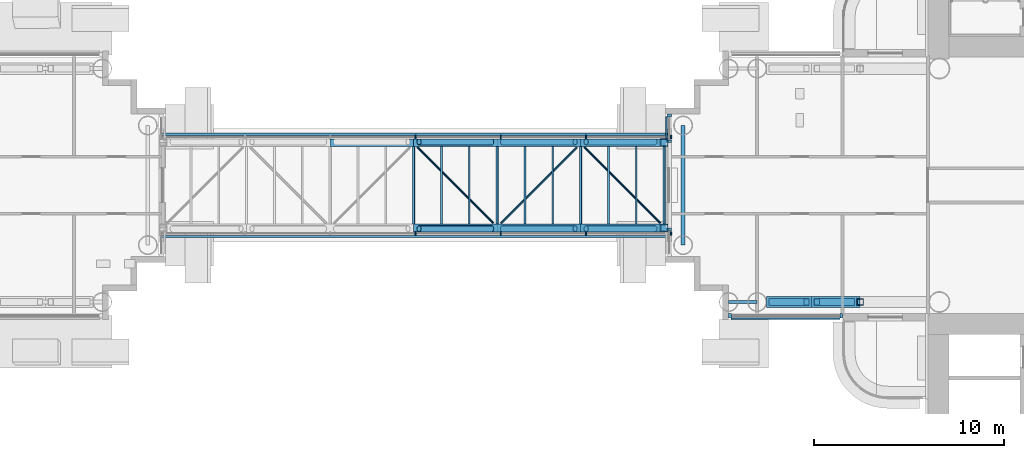
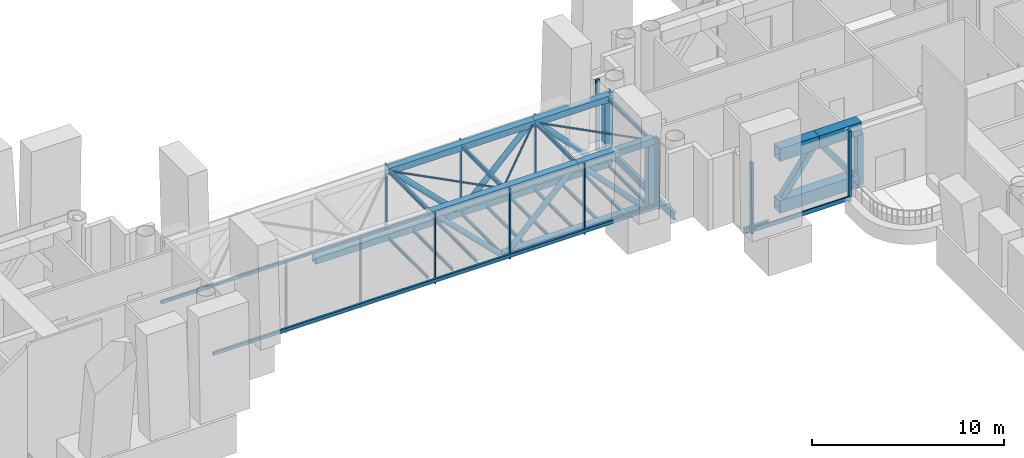
# One storey, part 7 of 27: 41 members, 16 beams, 5 elements without a shape of their own.
"""IFC4 building model written with IfcOpenShell, lengths in metres."""

from ifc_helpers import new_model, si_unit, direction, frame, origin, origin_2d, place, context, subcontext, project, spatial, rectangle, hollow_rectangle, hollow_circle, i_section, extrude, material, layer, layer_set, material_profile, profile_set, type_object, element, aggregate, save


model = new_model("IFC4")

# Units and contexts
model_context = context("Model", 3, precision=1e-05, world=origin(), true_north=direction((0.0, 1.0)))
body_context = subcontext(model_context, "Body", "Model", "MODEL_VIEW")
ifc_project = project(units=[si_unit("LENGTHUNIT", "METRE"), si_unit("AREAUNIT", "SQUARE_METRE"), si_unit("VOLUMEUNIT", "CUBIC_METRE"), si_unit("PLANEANGLEUNIT", "RADIAN"), si_unit("MASSUNIT", "GRAM", prefix="KILO")], contexts=[model_context])

# Site, building, storey
site_placement = place(None, origin())
site = spatial("IfcSite", under=ifc_project, at=site_placement, CompositionType="ELEMENT")
building_placement = place(site_placement, origin())
building = spatial("IfcBuilding", under=site, at=building_placement, Name="Ipe Terrace Towers", CompositionType="ELEMENT")
storey_placement = place(building_placement, frame((0.0, 0.0, 72.10009765625)))
storey = spatial("IfcBuildingStorey", under=building, at=storey_placement, Name="L19", CompositionType="ELEMENT", Elevation=72.10009765625)

# Curtain wall, members
ifc_material_1 = material(Name="Aluminium alloy 6063-T6", Category="aluminium")
ifc_layer_1 = layer(ifc_material_1, 0.300048828125)
ifc_layer_set_1 = layer_set([ifc_layer_1], Name="BRIDGE ENCLOSURE CURTAIN WALL")
curtain_wall_type_1 = type_object("IfcCurtainWallType", Name="BRIDGE ENCLOSURE CURTAIN WALL", PredefinedType="NOTDEFINED", material=ifc_layer_set_1)
curtain_wall_1_placement = place(storey_placement, origin())
curtain_wall_1 = element("IfcCurtainWall", 1, at=curtain_wall_1_placement, inside=storey, type_object=curtain_wall_type_1, Name="BR1-CW1 curtain wall", PredefinedType="NOTDEFINED")
ifc_material_2 = material(Name="Aluminium alloy 6063-T6", Category="aluminium")
ifc_material_profile_1 = material_profile(ifc_material_2, rectangle(XDim=0.179931640625, YDim=0.070068359375, at=origin_2d()), Name="BRIDGE ENCLOSURE MULLION 180 x 70")
ifc_profile_set_1 = profile_set([ifc_material_profile_1], Name="Aluminium alloy 6063-T6")
member_type_1 = type_object("IfcMemberType", Name="BRIDGE ENCLOSURE MULLION 180 x 70", PredefinedType="MULLION", material=ifc_profile_set_1)
member_1_placement = place(storey_placement, frame((15.715087890625, 2.544921875, -0.300048828125), z_axis=(0.0, 0.0, 1.0), x_axis=(0.0, 1.0, 0.0)))
member_1 = element("IfcMember", 2, at=member_1_placement, type_object=member_type_1, Name="BR1-CW1 mullion 1", PredefinedType="MULLION", context=body_context, shape_type="SweptSolid", body=[
    extrude(rectangle(XDim=0.179931640625, YDim=0.070068359375, at=origin_2d()), origin(), (0.0, 0.0, 1.0), 4.5),
])
member_2_placement = place(storey_placement, frame((11.2265625, 2.544921875, -0.300048828125), z_axis=(0.0, 0.0, 1.0), x_axis=(0.0, 1.0, 0.0)))
member_2 = element("IfcMember", 3, at=member_2_placement, type_object=member_type_1, Name="BR1-CW1 mullion 2", PredefinedType="MULLION", context=body_context, shape_type="SweptSolid", body=[
    extrude(rectangle(XDim=0.179931640625, YDim=0.070068359375, at=origin_2d()), origin(), (0.0, 0.0, 1.0), 4.5),
])
member_3_placement = place(storey_placement, frame((6.73828125, 2.544921875, -0.300048828125), z_axis=(0.0, 0.0, 1.0), x_axis=(0.0, 1.0, 0.0)))
member_3 = element("IfcMember", 4, at=member_3_placement, type_object=member_type_1, Name="BR1-CW1 mullion 3", PredefinedType="MULLION", context=body_context, shape_type="SweptSolid", body=[
    extrude(rectangle(XDim=0.179931640625, YDim=0.070068359375, at=origin_2d()), origin(), (0.0, 0.0, 1.0), 4.5),
])
member_4_placement = place(storey_placement, frame((2.25, 2.544921875, -0.300048828125), z_axis=(0.0, 0.0, 1.0), x_axis=(0.0, 1.0, 0.0)))
member_4 = element("IfcMember", 5, at=member_4_placement, type_object=member_type_1, Name="BR1-CW1 mullion 4", PredefinedType="MULLION", context=body_context, shape_type="SweptSolid", body=[
    extrude(rectangle(XDim=0.179931640625, YDim=0.070068359375, at=origin_2d()), origin(), (0.0, 0.0, 1.0), 4.5),
])

curtain_wall_2_placement = place(storey_placement, origin())
curtain_wall_2 = element("IfcCurtainWall", 6, at=curtain_wall_2_placement, inside=storey, type_object=curtain_wall_type_1, Name="BR1-CW2 curtain wall", PredefinedType="NOTDEFINED")
member_5_placement = place(storey_placement, frame((2.25, -2.544921875, -0.300048828125), z_axis=(0.0, 0.0, 1.0), x_axis=(0.0, -1.0, 0.0)))
member_5 = element("IfcMember", 7, at=member_5_placement, type_object=member_type_1, Name="BR1-CW2 mullion 4", PredefinedType="MULLION", context=body_context, shape_type="SweptSolid", body=[
    extrude(rectangle(XDim=0.179931640625, YDim=0.070068359375, at=origin_2d()), origin(), (0.0, 0.0, 1.0), 4.5),
])
member_6_placement = place(storey_placement, frame((6.73828125, -2.544921875, -0.300048828125), z_axis=(0.0, 0.0, 1.0), x_axis=(0.0, -1.0, 0.0)))
member_6 = element("IfcMember", 8, at=member_6_placement, type_object=member_type_1, Name="BR1-CW2 mullion 5", PredefinedType="MULLION", context=body_context, shape_type="SweptSolid", body=[
    extrude(rectangle(XDim=0.179931640625, YDim=0.070068359375, at=origin_2d()), origin(), (0.0, 0.0, 1.0), 4.5),
])
member_7_placement = place(storey_placement, frame((11.2265625, -2.544921875, -0.300048828125), z_axis=(0.0, 0.0, 1.0), x_axis=(0.0, -1.0, 0.0)))
member_7 = element("IfcMember", 9, at=member_7_placement, type_object=member_type_1, Name="BR1-CW2 mullion 6", PredefinedType="MULLION", context=body_context, shape_type="SweptSolid", body=[
    extrude(rectangle(XDim=0.179931640625, YDim=0.070068359375, at=origin_2d()), origin(), (0.0, 0.0, 1.0), 4.5),
])
member_8_placement = place(storey_placement, frame((15.715087890625, -2.544921875, -0.300048828125), z_axis=(0.0, 0.0, 1.0), x_axis=(0.0, -1.0, 0.0)))
member_8 = element("IfcMember", 10, at=member_8_placement, type_object=member_type_1, Name="BR1-CW2 mullion 7", PredefinedType="MULLION", context=body_context, shape_type="SweptSolid", body=[
    extrude(rectangle(XDim=0.179931640625, YDim=0.070068359375, at=origin_2d()), origin(), (0.0, 0.0, 1.0), 4.5),
])

# Member
ifc_material_3 = material(Name="Aluminium alloy 6063-T6", Category="aluminium")
ifc_material_profile_2 = material_profile(ifc_material_3, rectangle(XDim=0.1201171875, YDim=0.199951171875, at=origin_2d()), Name="BRIDGE ENCLOSURE TRANSOM 120 x 200")
ifc_profile_set_2 = profile_set([ifc_material_profile_2], Name="Aluminium alloy 6063-T6")
member_type_2 = type_object("IfcMemberType", Name="BRIDGE ENCLOSURE TRANSOM 120 x 200", PredefinedType="USERDEFINED", material=ifc_profile_set_2)
member_9_placement = place(storey_placement, frame((15.679931640625, 2.695068359375, 0.0), z_axis=(-1.0, 0.0, 0.0), x_axis=(0.0, 1.0, 0.0)))
member_9 = element("IfcMember", 11, at=member_9_placement, type_object=member_type_2, Name="BR1-CW1 transom", ObjectType="TRANSOM", PredefinedType="USERDEFINED", context=body_context, shape_type="SweptSolid", body=[
    extrude(rectangle(XDim=0.1201171875, YDim=0.199951171875, at=origin_2d()), origin(), (0.0, 0.0, 1.0), 26.85986328125),
])

aggregate(curtain_wall_1, [member_1, member_2, member_3, member_4, member_9])

member_10_placement = place(storey_placement, frame((-11.179931640625, -2.695068359375, 0.0), z_axis=(1.0, 0.0, 0.0), x_axis=(0.0, -1.0, 0.0)))
member_10 = element("IfcMember", 12, at=member_10_placement, type_object=member_type_2, Name="BR1-CW2 transom", ObjectType="TRANSOM", PredefinedType="USERDEFINED", context=body_context, shape_type="SweptSolid", body=[
    extrude(rectangle(XDim=0.1201171875, YDim=0.199951171875, at=origin_2d()), origin(), (0.0, 0.0, 1.0), 26.85986328125),
])

aggregate(curtain_wall_2, [member_5, member_6, member_7, member_8, member_10])

# Members
ifc_material_4 = material(Name="Steel S355", Category="steel")
ifc_material_profile_3 = material_profile(ifc_material_4, hollow_rectangle(XDim=0.39990234375, YDim=0.39990234375, WallThickness=0.02001953125, at=origin_2d()), Name="BRIDGE-CHORD BOX 400x400x20")
ifc_profile_set_3 = profile_set([ifc_material_profile_3], Name="Steel S355")
member_type_3 = type_object("IfcMemberType", Name="BRIDGE-CHORD BOX 400x400x20", PredefinedType="CHORD", material=ifc_profile_set_3)
member_11_placement = place(storey_placement, frame((6.550048828125, -2.25, -0.150146484375), z_axis=(1.0, 0.0, 0.0), x_axis=(0.0, 1.0, 0.0)))
element("IfcMember", 13, at=member_11_placement, inside=storey, type_object=member_type_3, Name="BR1-TSBC-003 bottom chord", PredefinedType="CHORD", context=body_context, shape_type="SweptSolid", body=[
    extrude(hollow_rectangle(XDim=0.39990234375, YDim=0.39990234375, WallThickness=0.02001953125, at=origin_2d()), origin(), (0.0, 0.0, 1.0), 9.0),
])
member_12_placement = place(storey_placement, frame((2.14990234375, -2.25, 4.0), z_axis=(1.0, 0.0, 0.0), x_axis=(0.0, 1.0, 0.0)))
element("IfcMember", 14, at=member_12_placement, inside=storey, type_object=member_type_3, Name="BR1-TSTC-006 top chord", PredefinedType="CHORD", context=body_context, shape_type="SweptSolid", body=[
    extrude(hollow_rectangle(XDim=0.39990234375, YDim=0.39990234375, WallThickness=0.02001953125, at=origin_2d()), origin(), (0.0, 0.0, 1.0), 8.800048828125),
])
member_13_placement = place(storey_placement, frame((10.949951171875, -2.25, 4.0), z_axis=(1.0, 0.0, 0.0), x_axis=(0.0, 1.0, 0.0)))
element("IfcMember", 15, at=member_13_placement, inside=storey, type_object=member_type_3, Name="BR1-TSTC-007 top chord", PredefinedType="CHORD", context=body_context, shape_type="SweptSolid", body=[
    extrude(hollow_rectangle(XDim=0.39990234375, YDim=0.39990234375, WallThickness=0.02001953125, at=origin_2d()), origin(), (0.0, 0.0, 1.0), 4.60009765625),
])
member_14_placement = place(storey_placement, frame((-2.25, 2.25, -0.150146484375), z_axis=(1.0, 0.0, 0.0), x_axis=(0.0, 1.0, 0.0)))
element("IfcMember", 16, at=member_14_placement, inside=storey, type_object=member_type_3, Name="BR1-TNBC-017 bottom chord", PredefinedType="CHORD", context=body_context, shape_type="SweptSolid", body=[
    extrude(hollow_rectangle(XDim=0.39990234375, YDim=0.39990234375, WallThickness=0.02001953125, at=origin_2d()), origin(), (0.0, 0.0, 1.0), 8.800048828125),
])
member_15_placement = place(storey_placement, frame((6.550048828125, 2.25, -0.150146484375), z_axis=(1.0, 0.0, 0.0), x_axis=(0.0, 1.0, 0.0)))
element("IfcMember", 17, at=member_15_placement, inside=storey, type_object=member_type_3, Name="BR1-TNBC-018 bottom chord", PredefinedType="CHORD", context=body_context, shape_type="SweptSolid", body=[
    extrude(hollow_rectangle(XDim=0.39990234375, YDim=0.39990234375, WallThickness=0.02001953125, at=origin_2d()), origin(), (0.0, 0.0, 1.0), 9.0),
])
member_16_placement = place(storey_placement, frame((2.14990234375, 2.25, 4.0), z_axis=(1.0, 0.0, 0.0), x_axis=(0.0, 1.0, 0.0)))
element("IfcMember", 18, at=member_16_placement, inside=storey, type_object=member_type_3, Name="BR1-TNTC-021 top chord", PredefinedType="CHORD", context=body_context, shape_type="SweptSolid", body=[
    extrude(hollow_rectangle(XDim=0.39990234375, YDim=0.39990234375, WallThickness=0.02001953125, at=origin_2d()), origin(), (0.0, 0.0, 1.0), 8.800048828125),
])
member_17_placement = place(storey_placement, frame((10.949951171875, 2.25, 4.0), z_axis=(1.0, 0.0, 0.0), x_axis=(0.0, 1.0, 0.0)))
element("IfcMember", 19, at=member_17_placement, inside=storey, type_object=member_type_3, Name="BR1-TNTC-022 top chord", PredefinedType="CHORD", context=body_context, shape_type="SweptSolid", body=[
    extrude(hollow_rectangle(XDim=0.39990234375, YDim=0.39990234375, WallThickness=0.02001953125, at=origin_2d()), origin(), (0.0, 0.0, 1.0), 4.60009765625),
])

# Beams
ifc_material_5 = material(Name="Steel S355", Category="steel")
ifc_material_profile_4 = material_profile(ifc_material_5, i_section(OverallWidth=0.10009765625, OverallDepth=0.199951171875, WebThickness=0.005615234375, FlangeThickness=0.008056640625, at=origin_2d()), Name="H200x100")
ifc_profile_set_4 = profile_set([ifc_material_profile_4], Name="Steel S355")
beam_type_1 = type_object("IfcBeamType", Name="BRIDGE-DECK BEAM H200x100", PredefinedType="BEAM", material=ifc_profile_set_4)
for number, where, z_axis, x_axis, name in (
    (20, (2.14990234375, -2.050048828125, -0.22021484375), (0.0, 1.0, 0.0), (-1.0, 0.0, 0.0), "BR1-DB-040 deck beam"),
    (21, (3.616943359375, -2.050048828125, -0.22021484375), (0.0, 1.0, 0.0), (-1.0, 0.0, 0.0), "BR1-DB-041 deck beam"),
    (22, (5.0830078125, -2.050048828125, -0.22021484375), (0.0, 1.0, 0.0), (-1.0, 0.0, 0.0), "BR1-DB-042 deck beam"),
    (23, (6.550048828125, -2.050048828125, -0.22021484375), (0.0, 1.0, 0.0), (-1.0, 0.0, 0.0), "BR1-DB-043 deck beam"),
    (24, (8.01708984375, -2.050048828125, -0.22021484375), (0.0, 1.0, 0.0), (-1.0, 0.0, 0.0), "BR1-DB-044 deck beam"),
    (25, (9.48291015625, -2.050048828125, -0.22021484375), (0.0, 1.0, 0.0), (-1.0, 0.0, 0.0), "BR1-DB-045 deck beam"),
    (26, (10.949951171875, -2.050048828125, -0.22021484375), (0.0, 1.0, 0.0), (-1.0, 0.0, 0.0), "BR1-DB-046 deck beam"),
    (27, (12.4169921875, -2.050048828125, -0.22021484375), (0.0, 1.0, 0.0), (-1.0, 0.0, 0.0), "BR1-DB-047 deck beam"),
    (28, (13.883056640625, -2.050048828125, -0.22021484375), (0.0, 1.0, 0.0), (-1.0, 0.0, 0.0), "BR1-DB-048 deck beam"),
    (29, (15.35009765625, -2.050048828125, -0.22021484375), (0.0, 1.0, 0.0), (-1.0, 0.0, 0.0), "BR1-DB-049 deck beam"),
):
    element("IfcBeam", number, at=place(storey_placement, frame(where, z_axis=z_axis, x_axis=x_axis)), inside=storey, type_object=beam_type_1, Name=name, PredefinedType="BEAM", context=body_context, shape_type="SweptSolid", body=[
        extrude(i_section(OverallWidth=0.10009765625, OverallDepth=0.199951171875, WebThickness=0.005615234375, FlangeThickness=0.008056640625, at=origin_2d()), origin(), (0.0, 0.0, 1.0), 4.10009765625),
    ])

# Members
ifc_material_6 = material(Name="Steel S355", Category="steel")
ifc_material_profile_5 = material_profile(ifc_material_6, hollow_circle(Radius=0.162109375, WallThickness=0.013916015625, at=origin_2d()), Name="BRIDGE-DIAGONAL CHS 324x14")
ifc_profile_set_5 = profile_set([ifc_material_profile_5], Name="Steel S355")
member_type_4 = type_object("IfcMemberType", Name="BRIDGE-DIAGONAL CHS 324x14", PredefinedType="BRACE", material=ifc_profile_set_5)
for number, where, z_axis, x_axis, name in (
    (30, (2.43994140625, -2.2880859375, 3.81982421875), (0.709891480429, 0.0, -0.70431107191), (0.0, 1.0, 0.0), "BR1-TSD-013 diagonal"),
    (31, (6.840087890625, -2.2880859375, 0.02978515625), (0.709868973777, 0.0, 0.704333756162), (0.0, 1.0, 0.0), "BR1-TSD-014 diagonal"),
):
    element("IfcMember", number, at=place(storey_placement, frame(where, z_axis=z_axis, x_axis=x_axis)), inside=storey, type_object=member_type_4, Name=name, PredefinedType="BRACE", context=body_context, shape_type="SweptSolid", body=[
        extrude(hollow_circle(Radius=0.162109375, WallThickness=0.013916015625, at=origin_2d()), origin(), (0.0, 0.0, 1.0), 5.381103515625),
    ])
member_18_placement = place(storey_placement, frame((11.240966796875, -2.2880859375, 3.81982421875), z_axis=(0.690491261398, 0.0, -0.723340734324), x_axis=(0.0, 1.0, 0.0)))
element("IfcMember", 32, at=member_18_placement, inside=storey, type_object=member_type_4, Name="BR1-TSD-015 diagonal", PredefinedType="BRACE", context=body_context, shape_type="SweptSolid", body=[
    extrude(hollow_circle(Radius=0.162109375, WallThickness=0.013916015625, at=origin_2d()), origin(), (0.0, 0.0, 1.0), 5.23974609375),
])
for number, where, z_axis, x_axis, name in (
    (33, (2.43994140625, 2.2880859375, 3.81982421875), (0.709891480429, 0.0, -0.70431107191), (0.0, 1.0, 0.0), "BR1-TND-028 diagonal"),
    (34, (6.840087890625, 2.2880859375, 0.02978515625), (0.709868973777, 0.0, 0.704333756162), (0.0, 1.0, 0.0), "BR1-TND-029 diagonal"),
):
    element("IfcMember", number, at=place(storey_placement, frame(where, z_axis=z_axis, x_axis=x_axis)), inside=storey, type_object=member_type_4, Name=name, PredefinedType="BRACE", context=body_context, shape_type="SweptSolid", body=[
        extrude(hollow_circle(Radius=0.162109375, WallThickness=0.013916015625, at=origin_2d()), origin(), (0.0, 0.0, 1.0), 5.381103515625),
    ])
member_19_placement = place(storey_placement, frame((11.240966796875, 2.2880859375, 3.81982421875), z_axis=(0.690491261398, 0.0, -0.723340734324), x_axis=(0.0, 1.0, 0.0)))
element("IfcMember", 35, at=member_19_placement, inside=storey, type_object=member_type_4, Name="BR1-TND-030 diagonal", PredefinedType="BRACE", context=body_context, shape_type="SweptSolid", body=[
    extrude(hollow_circle(Radius=0.162109375, WallThickness=0.013916015625, at=origin_2d()), origin(), (0.0, 0.0, 1.0), 5.23974609375),
])
ifc_material_7 = material(Name="Steel S355", Category="steel")
ifc_material_profile_6 = material_profile(ifc_material_7, hollow_circle(Radius=0.05712890625, WallThickness=0.006103515625, at=origin_2d()), Name="BRIDGE-PLAN BRACE CHS 114x6")
ifc_profile_set_6 = profile_set([ifc_material_profile_6], Name="Steel S355")
member_type_5 = type_object("IfcMemberType", Name="BRIDGE-PLAN BRACE CHS 114x6", PredefinedType="BRACE", material=ifc_profile_set_6)
for number, where, z_axis, x_axis, name in (
    (36, (2.340087890625, 2.010009765625, 4.0), (0.707106781187, -0.707106781187, 0.0), (0.707106781187, 0.707106781187, 0.0), "BR1-PB-060 roof plan brace"),
    (37, (6.739990234375, -2.010009765625, 4.0), (0.707106781187, 0.707106781187, 0.0), (-0.707106781187, 0.707106781187, 0.0), "BR1-PB-061 roof plan brace"),
    (38, (11.139892578125, 2.010009765625, 4.0), (0.707106781187, -0.707106781187, 0.0), (0.707106781187, 0.707106781187, 0.0), "BR1-PB-062 roof plan brace"),
):
    element("IfcMember", number, at=place(storey_placement, frame(where, z_axis=z_axis, x_axis=x_axis)), inside=storey, type_object=member_type_5, Name=name, PredefinedType="BRACE", context=body_context, shape_type="SweptSolid", body=[
        extrude(hollow_circle(Radius=0.05712890625, WallThickness=0.006103515625, at=origin_2d()), origin(), (0.0, 0.0, 1.0), 5.68505859375),
    ])
ifc_material_8 = material(Name="Steel S355", Category="steel")
ifc_material_profile_7 = material_profile(ifc_material_8, hollow_rectangle(XDim=0.39990234375, YDim=0.39990234375, WallThickness=0.02001953125, at=origin_2d()), Name="BRIDGE-POST BOX 400x400x20")
ifc_profile_set_7 = profile_set([ifc_material_profile_7], Name="Steel S355")
member_type_6 = type_object("IfcMemberType", Name="BRIDGE-POST BOX 400x400x20", PredefinedType="POST", material=ifc_profile_set_7)
for number, where, z_axis, x_axis, name in (
    (39, (15.35009765625, -2.25, 0.0498046875), (0.0, 0.0, 1.0), (1.0, 0.0, 0.0), "BR1-TSP-009 end post"),
    (40, (15.35009765625, 2.25, 0.0498046875), (0.0, 0.0, 1.0), (1.0, 0.0, 0.0), "BR1-TNP-024 end post"),
):
    element("IfcMember", number, at=place(storey_placement, frame(where, z_axis=z_axis, x_axis=x_axis)), inside=storey, type_object=member_type_6, Name=name, PredefinedType="POST", context=body_context, shape_type="SweptSolid", body=[
        extrude(hollow_rectangle(XDim=0.39990234375, YDim=0.39990234375, WallThickness=0.02001953125, at=origin_2d()), origin(), (0.0, 0.0, 1.0), 3.75),
    ])

# Beams
ifc_material_9 = material(Name="Steel S355", Category="steel")
ifc_material_profile_8 = material_profile(ifc_material_9, i_section(OverallWidth=0.125, OverallDepth=0.25, WebThickness=0.006103515625, FlangeThickness=0.009033203125, at=origin_2d()), Name="H250x125")
ifc_profile_set_8 = profile_set([ifc_material_profile_8], Name="Steel S355")
beam_type_2 = type_object("IfcBeamType", Name="BRIDGE-ROOF BEAM H250x125", PredefinedType="BEAM", material=ifc_profile_set_8)
for number, where, z_axis, x_axis, name in (
    (41, (2.14990234375, -2.050048828125, 4.074951171875), (0.0, 1.0, 0.0), (-1.0, 0.0, 0.0), "BR1-RB-053 roof beam"),
    (42, (6.550048828125, -2.050048828125, 4.074951171875), (0.0, 1.0, 0.0), (-1.0, 0.0, 0.0), "BR1-RB-054 roof beam"),
    (43, (10.949951171875, -2.050048828125, 4.074951171875), (0.0, 1.0, 0.0), (-1.0, 0.0, 0.0), "BR1-RB-055 roof beam"),
    (44, (15.35009765625, -2.050048828125, 4.074951171875), (0.0, 1.0, 0.0), (-1.0, 0.0, 0.0), "BR1-RB-056 roof beam"),
):
    element("IfcBeam", number, at=place(storey_placement, frame(where, z_axis=z_axis, x_axis=x_axis)), inside=storey, type_object=beam_type_2, Name=name, PredefinedType="BEAM", context=body_context, shape_type="SweptSolid", body=[
        extrude(i_section(OverallWidth=0.125, OverallDepth=0.25, WebThickness=0.006103515625, FlangeThickness=0.009033203125, at=origin_2d()), origin(), (0.0, 0.0, 1.0), 4.10009765625),
    ])
ifc_material_10 = material(Name="Steel S355", Category="steel")
ifc_material_profile_9 = material_profile(ifc_material_10, i_section(OverallWidth=0.175048828125, OverallDepth=0.35009765625, WebThickness=0.007080078125, FlangeThickness=0.010986328125, at=origin_2d()), Name="H-350x175x7x11")
ifc_profile_set_9 = profile_set([ifc_material_profile_9], Name="Steel S355")
beam_type_3 = type_object("IfcBeamType", Name="H04 EDGE BEAM H-350x175x7x11", PredefinedType="BEAM", material=ifc_profile_set_9)
beam_1_placement = place(storey_placement, frame((20.25, -6.14990234375, -0.5751953125), z_axis=(-1.0, 0.0, 0.0), x_axis=(0.0, -1.0, 0.0)))
element("IfcBeam", 45, at=beam_1_placement, inside=storey, type_object=beam_type_3, Name="Edge beam T2-EB-B04-B06", PredefinedType="BEAM", context=body_context, shape_type="SweptSolid", body=[
    extrude(i_section(OverallWidth=0.175048828125, OverallDepth=0.35009765625, WebThickness=0.007080078125, FlangeThickness=0.010986328125, at=origin_2d()), origin(), (0.0, 0.0, 1.0), 1.5),
])
ifc_material_11 = material(Name="Steel S355", Category="steel")
ifc_material_profile_10 = material_profile(ifc_material_11, i_section(OverallWidth=0.199951171875, OverallDepth=0.449951171875, WebThickness=0.009033203125, FlangeThickness=0.013916015625, at=origin_2d()), Name="H-450x200x9x14")
ifc_profile_set_10 = profile_set([ifc_material_profile_10], Name="Steel S355")
beam_type_4 = type_object("IfcBeamType", Name="H08 EDGE BEAM H-450x200x9x14", PredefinedType="BEAM", material=ifc_profile_set_10)
beam_2_placement = place(storey_placement, frame((16.35009765625, 3.14990234375, -0.625), z_axis=(0.0, -1.0, 0.0), x_axis=(1.0, 0.0, 0.0)))
element("IfcBeam", 46, at=beam_2_placement, inside=storey, type_object=beam_type_4, Name="Edge beam T2-EB-B07-B08", PredefinedType="BEAM", context=body_context, shape_type="SweptSolid", body=[
    extrude(i_section(OverallWidth=0.199951171875, OverallDepth=0.449951171875, WebThickness=0.009033203125, FlangeThickness=0.013916015625, at=origin_2d()), origin(), (0.0, 0.0, 1.0), 6.2998046875),
])

# Members
ifc_material_12 = material(Name="Steel S355", Category="steel")
ifc_material_profile_11 = material_profile(ifc_material_12, hollow_rectangle(XDim=0.35009765625, YDim=0.35009765625, WallThickness=0.02001953125, at=origin_2d()), Name="OUTRIGGER-BRACE BOX 350x350x20")
ifc_profile_set_11 = profile_set([ifc_material_profile_11], Name="Steel S355")
member_type_7 = type_object("IfcMemberType", Name="OUTRIGGER-BRACE BOX 350x350x20", PredefinedType="BRACE", material=ifc_profile_set_11)
for number, where, z_axis, x_axis, name in (
    (47, (25.22705078125, -6.14990234375, 0.77978515625), (-0.58436225727, 0.0, 0.811492915729), (0.0, -1.0, 0.0), "T2-OR-L19-124 diagonal"),
    (48, (21.02294921875, -6.14990234375, 0.77978515625), (0.58436225727, 0.0, 0.811492915729), (0.0, 1.0, 0.0), "T2-OR-L19-125 diagonal"),
):
    element("IfcMember", number, at=place(storey_placement, frame(where, z_axis=z_axis, x_axis=x_axis)), inside=storey, type_object=member_type_7, Name=name, PredefinedType="BRACE", context=body_context, shape_type="SweptSolid", body=[
        extrude(hollow_rectangle(XDim=0.35009765625, YDim=0.35009765625, WallThickness=0.02001953125, at=origin_2d()), origin(), (0.0, 0.0, 1.0), 3.130126953125),
    ])
ifc_material_13 = material(Name="Steel S355", Category="steel")
ifc_material_profile_12 = material_profile(ifc_material_13, hollow_rectangle(XDim=0.60009765625, YDim=0.800048828125, WallThickness=0.0400390625, at=origin_2d()), Name="OUTRIGGER-CHORD BOX 600x800x40")
ifc_profile_set_12 = profile_set([ifc_material_profile_12], Name="Steel S355")
member_type_8 = type_object("IfcMemberType", Name="OUTRIGGER-CHORD BOX 600x800x40", PredefinedType="CHORD", material=ifc_profile_set_12)
member_20_placement = place(storey_placement, frame((25.5, -6.14990234375, 0.39990234375), z_axis=(-1.0, 0.0, 0.0), x_axis=(0.0, -1.0, 0.0)))
element("IfcMember", 49, at=member_20_placement, inside=storey, type_object=member_type_8, Name="T2-OR-L19-123 bottom chord", PredefinedType="CHORD", context=body_context, shape_type="SweptSolid", body=[
    extrude(hollow_rectangle(XDim=0.60009765625, YDim=0.800048828125, WallThickness=0.0400390625, at=origin_2d()), origin(), (0.0, 0.0, 1.0), 4.75),
])
member_21_placement = place(storey_placement, frame((25.675048828125, -6.14990234375, 3.699951171875), z_axis=(-1.0, 0.0, 0.0), x_axis=(0.0, -1.0, 0.0)))
element("IfcMember", 50, at=member_21_placement, inside=storey, type_object=member_type_8, Name="T2-OR-L19-128 top chord", PredefinedType="CHORD", context=body_context, shape_type="SweptSolid", body=[
    extrude(hollow_rectangle(XDim=0.60009765625, YDim=0.800048828125, WallThickness=0.0400390625, at=origin_2d()), origin(), (0.0, 0.0, 1.0), 2.550048828125),
])
member_22_placement = place(storey_placement, frame((23.125, -6.14990234375, 3.699951171875), z_axis=(-1.0, 0.0, 0.0), x_axis=(0.0, -1.0, 0.0)))
element("IfcMember", 51, at=member_22_placement, inside=storey, type_object=member_type_8, Name="T2-OR-L19-129 top chord", PredefinedType="CHORD", context=body_context, shape_type="SweptSolid", body=[
    extrude(hollow_rectangle(XDim=0.60009765625, YDim=0.800048828125, WallThickness=0.0400390625, at=origin_2d()), origin(), (0.0, 0.0, 1.0), 2.375),
])
ifc_material_14 = material(Name="Steel S355", Category="steel")
ifc_material_profile_13 = material_profile(ifc_material_14, hollow_rectangle(XDim=0.35009765625, YDim=0.35009765625, WallThickness=0.02001953125, at=origin_2d()), Name="OUTRIGGER-POST BOX 350x350x20")
ifc_profile_set_13 = profile_set([ifc_material_profile_13], Name="Steel S355")
member_type_9 = type_object("IfcMemberType", Name="OUTRIGGER-POST BOX 350x350x20", PredefinedType="POST", material=ifc_profile_set_13)
member_23_placement = place(storey_placement, frame((25.675048828125, -6.14990234375, 0.0), z_axis=(0.0, 0.0, 1.0), x_axis=(1.0, 0.0, 0.0)))
element("IfcMember", 52, at=member_23_placement, inside=storey, type_object=member_type_9, Name="T2-OR-L19-126 post", PredefinedType="POST", context=body_context, shape_type="SweptSolid", body=[
    extrude(hollow_rectangle(XDim=0.35009765625, YDim=0.35009765625, WallThickness=0.02001953125, at=origin_2d()), origin(), (0.0, 0.0, 1.0), 3.2998046875),
])

# Curtain wall, members
ifc_material_15 = material(Name="Aluminium alloy 6063-T6", Category="aluminium")
ifc_layer_2 = layer(ifc_material_15, 0.320068359375)
ifc_layer_set_2 = layer_set([ifc_layer_2], Name="REFUGE FLOOR CURTAIN WALL")
curtain_wall_type_2 = type_object("IfcCurtainWallType", Name="REFUGE FLOOR CURTAIN WALL", PredefinedType="NOTDEFINED", material=ifc_layer_set_2)
curtain_wall_3_placement = place(storey_placement, origin())
curtain_wall_3 = element("IfcCurtainWall", 53, at=curtain_wall_3_placement, inside=storey, type_object=curtain_wall_type_2, Name="T2-CW-L19-38a curtain wall", PredefinedType="NOTDEFINED")
ifc_material_16 = material(Name="Aluminium alloy 6063-T6", Category="aluminium")
ifc_material_profile_14 = material_profile(ifc_material_16, rectangle(XDim=0.239990234375, YDim=0.139892578125, at=origin_2d()), Name="REFUGE FLOOR CORNER MULLION 240 x 140")
ifc_profile_set_14 = profile_set([ifc_material_profile_14], Name="Aluminium alloy 6063-T6")
member_type_10 = type_object("IfcMemberType", Name="REFUGE FLOOR CORNER MULLION 240 x 140", PredefinedType="MULLION", material=ifc_profile_set_14)
member_24_placement = place(storey_placement, frame((15.6298828125, 3.679931640625, -0.300048828125), z_axis=(0.0, 0.0, 1.0), x_axis=(-1.0, 0.0, 0.0)))
member_24 = element("IfcMember", 54, at=member_24_placement, type_object=member_type_10, Name="T2-CW-L19-38a mullion 1", PredefinedType="MULLION", context=body_context, shape_type="SweptSolid", body=[
    extrude(rectangle(XDim=0.239990234375, YDim=0.139892578125, at=origin_2d()), origin(), (0.0, 0.0, 1.0), 4.5),
])
member_25_placement = place(storey_placement, frame((15.6298828125, 2.320068359375, -0.300048828125), z_axis=(0.0, 0.0, 1.0), x_axis=(-1.0, 0.0, 0.0)))
member_25 = element("IfcMember", 55, at=member_25_placement, type_object=member_type_10, Name="T2-CW-L19-38a mullion 2", PredefinedType="MULLION", context=body_context, shape_type="SweptSolid", body=[
    extrude(rectangle(XDim=0.239990234375, YDim=0.139892578125, at=origin_2d()), origin(), (0.0, 0.0, 1.0), 4.5),
])

# Curtain wall, member
curtain_wall_4_placement = place(storey_placement, origin())
curtain_wall_4 = element("IfcCurtainWall", 56, at=curtain_wall_4_placement, inside=storey, type_object=curtain_wall_type_2, Name="T2-CW-L19-38c curtain wall", PredefinedType="NOTDEFINED")
member_26_placement = place(storey_placement, frame((15.6298828125, -2.320068359375, -0.300048828125), z_axis=(0.0, 0.0, 1.0), x_axis=(-1.0, 0.0, 0.0)))
member_26 = element("IfcMember", 57, at=member_26_placement, type_object=member_type_10, Name="T2-CW-L19-38c mullion 1", PredefinedType="MULLION", context=body_context, shape_type="SweptSolid", body=[
    extrude(rectangle(XDim=0.239990234375, YDim=0.139892578125, at=origin_2d()), origin(), (0.0, 0.0, 1.0), 4.5),
])
aggregate(curtain_wall_4, [member_26])

# Curtain wall, members
curtain_wall_5_placement = place(storey_placement, origin())
curtain_wall_5 = element("IfcCurtainWall", 58, at=curtain_wall_5_placement, inside=storey, type_object=curtain_wall_type_2, Name="T2-CW-L19-43a curtain wall", PredefinedType="NOTDEFINED")
member_27_placement = place(storey_placement, frame((18.820068359375, -6.8701171875, -0.300048828125), z_axis=(0.0, 0.0, 1.0), x_axis=(0.0, -1.0, 0.0)))
member_27 = element("IfcMember", 59, at=member_27_placement, type_object=member_type_10, Name="T2-CW-L19-43a mullion 1", PredefinedType="MULLION", context=body_context, shape_type="SweptSolid", body=[
    extrude(rectangle(XDim=0.239990234375, YDim=0.139892578125, at=origin_2d()), origin(), (0.0, 0.0, 1.0), 4.5),
])
member_28_placement = place(storey_placement, frame((24.679931640625, -6.8701171875, -0.300048828125), z_axis=(0.0, 0.0, 1.0), x_axis=(0.0, -1.0, 0.0)))
member_28 = element("IfcMember", 60, at=member_28_placement, type_object=member_type_10, Name="T2-CW-L19-43a mullion 2", PredefinedType="MULLION", context=body_context, shape_type="SweptSolid", body=[
    extrude(rectangle(XDim=0.239990234375, YDim=0.139892578125, at=origin_2d()), origin(), (0.0, 0.0, 1.0), 4.5),
])

# Member
ifc_material_17 = material(Name="Aluminium alloy 6063-T6", Category="aluminium")
ifc_material_profile_15 = material_profile(ifc_material_17, rectangle(XDim=0.080078125, YDim=0.260009765625, at=origin_2d()), Name="REFUGE FLOOR TRANSOM 80 x 260")
ifc_profile_set_15 = profile_set([ifc_material_profile_15], Name="Aluminium alloy 6063-T6")
member_type_11 = type_object("IfcMemberType", Name="REFUGE FLOOR TRANSOM 80 x 260", PredefinedType="USERDEFINED", material=ifc_profile_set_15)
member_29_placement = place(storey_placement, frame((15.469970703125, 3.610107421875, 0.0), z_axis=(0.0, -1.0, 0.0), x_axis=(-1.0, 0.0, 0.0)))
member_29 = element("IfcMember", 61, at=member_29_placement, type_object=member_type_11, Name="T2-CW-L19-38a transom", ObjectType="TRANSOM", PredefinedType="USERDEFINED", context=body_context, shape_type="SweptSolid", body=[
    extrude(rectangle(XDim=0.080078125, YDim=0.260009765625, at=origin_2d()), origin(), (0.0, 0.0, 1.0), 1.22021484375),
])

aggregate(curtain_wall_3, [member_24, member_25, member_29])

member_30_placement = place(storey_placement, frame((18.889892578125, -7.030029296875, 0.0), z_axis=(1.0, 0.0, 0.0), x_axis=(0.0, -1.0, 0.0)))
member_30 = element("IfcMember", 62, at=member_30_placement, type_object=member_type_11, Name="T2-CW-L19-43a transom", ObjectType="TRANSOM", PredefinedType="USERDEFINED", context=body_context, shape_type="SweptSolid", body=[
    extrude(rectangle(XDim=0.080078125, YDim=0.260009765625, at=origin_2d()), origin(), (0.0, 0.0, 1.0), 5.72021484375),
])

aggregate(curtain_wall_5, [member_27, member_28, member_30])

save(model, "model.ifc")
